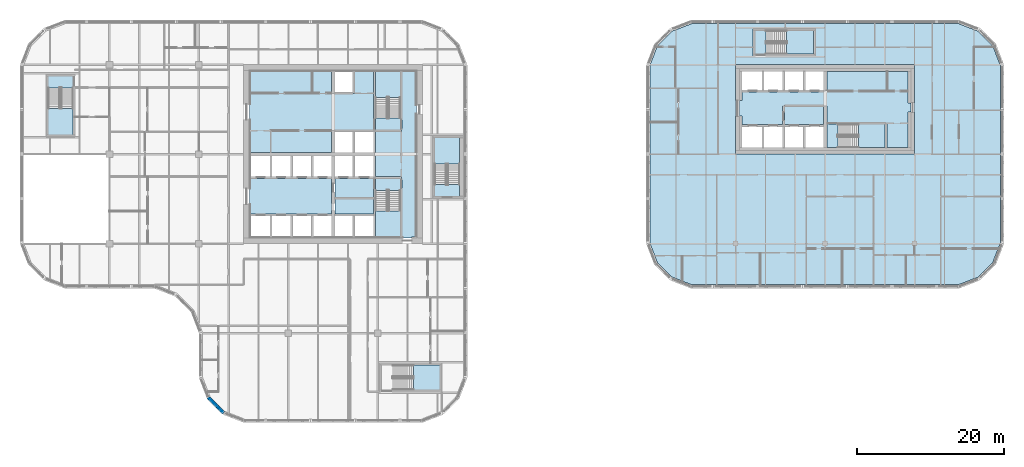
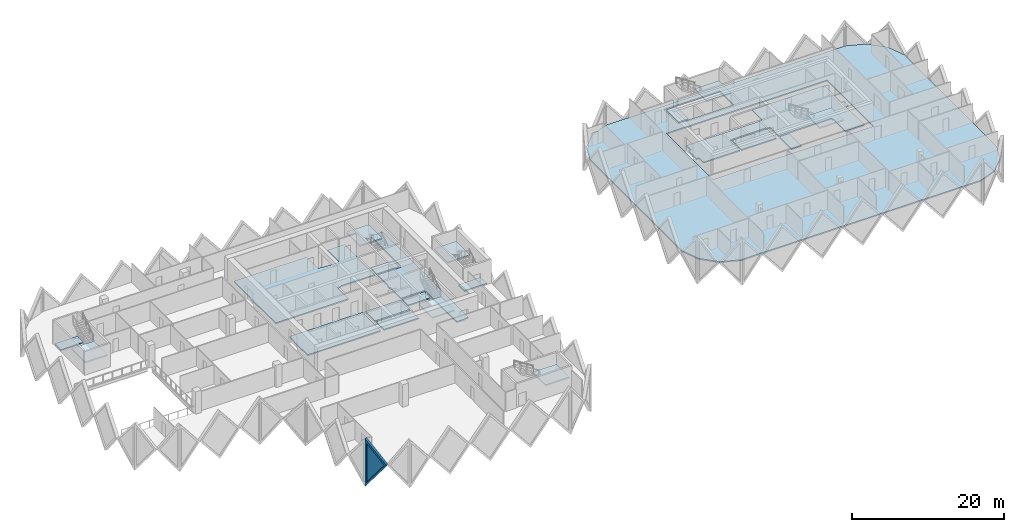
# One storey, part 3 of 19: 21 slabs, 1 plate, 1 wall, 1 opening, 7 elements without a shape of their own.
"""IFC4 building model written with IfcOpenShell, lengths in metres."""

from ifc_helpers import new_model, si_unit, direction, frame, origin, place, context, subcontext, project, spatial, polyline, outline, extrude, faceted_brep, source, transform, mapped, material, layer, layer_set, type_object, element, fill, aggregate, save


model = new_model("IFC4")

# Units and contexts
model_context = context("Model", 3, precision=1e-05, world=origin(), true_north=direction((0.0, 1.0)))
body_context = subcontext(model_context, "Body", "Model", "MODEL_VIEW")
ifc_project = project(units=[si_unit("LENGTHUNIT", "METRE"), si_unit("AREAUNIT", "SQUARE_METRE"), si_unit("VOLUMEUNIT", "CUBIC_METRE"), si_unit("PLANEANGLEUNIT", "RADIAN"), si_unit("MASSUNIT", "GRAM", prefix="KILO")], contexts=[model_context])

# Site, building, storey
site_placement = place(None, origin())
site = spatial("IfcSite", under=ifc_project, at=site_placement, CompositionType="ELEMENT")
building_placement = place(site_placement, origin())
building = spatial("IfcBuilding", under=site, at=building_placement, Name="Tessera Gate Towers", CompositionType="ELEMENT")
storey_placement = place(building_placement, frame((0.0, 0.0, 76.199951171875)))
storey = spatial("IfcBuildingStorey", under=building, at=storey_placement, Name="L18", CompositionType="ELEMENT", Elevation=76.199951171875)

# Slabs
ifc_material_1 = material(Name="Concrete C35/45", Category="concrete")
ifc_layer_1 = layer(ifc_material_1, 0.199951171875)
ifc_layer_set_1 = layer_set([ifc_layer_1], Name="COMPOSITE FLOOR 200")
slab_type_1 = type_object("IfcSlabType", Name="COMPOSITE FLOOR 200", PredefinedType="FLOOR", material=ifc_layer_set_1)
slab_1_placement = place(storey_placement, frame((0.0, 0.0, -0.199951171875)))
element("IfcSlab", 1, at=slab_1_placement, inside=storey, type_object=slab_type_1, Name="T2-L18", PredefinedType="FLOOR", context=body_context, shape_type="SweptSolid", body=[
    extrude(outline(polyline([(85.89990234375, 24.4931640625), (86.926025390625, 21.8330078125), (88.93310546875, 19.826171875), (91.593017578125, 18.800048828125), (128.0068359375, 18.800048828125), (130.6669921875, 19.826171875), (132.673828125, 21.8330078125), (133.699951171875, 24.4931640625), (133.699951171875, 48.706787109375), (132.673828125, 51.366943359375), (130.6669921875, 53.373779296875), (128.0068359375, 54.39990234375), (91.593017578125, 54.39990234375), (88.93310546875, 53.373779296875), (86.926025390625, 51.366943359375), (85.89990234375, 48.706787109375), (85.89990234375, 24.4931640625)]), holes=[polyline([(97.60009765625, 36.60009765625), (97.60009765625, 48.800048828125), (122.0, 48.800048828125), (122.0, 36.60009765625), (97.60009765625, 36.60009765625)]), polyline([(100.0, 50.0), (100.0, 53.699951171875), (108.5, 53.699951171875), (108.5, 50.0), (100.0, 50.0)])]), origin(), (0.0, 0.0, 1.0), 0.199951171875),
])
ifc_material_2 = material(Name="Concrete C35/45", Category="concrete")
ifc_layer_2 = layer(ifc_material_2, 0.199951171875)
ifc_layer_set_2 = layer_set([ifc_layer_2], Name="CORE FLOOR SLAB 200")
slab_type_2 = type_object("IfcSlabType", Name="CORE FLOOR SLAB 200", PredefinedType="FLOOR", material=ifc_layer_set_2)
slab_2_placement = place(storey_placement, frame((0.0, 0.0, -0.199951171875)))
element("IfcSlab", 2, at=slab_2_placement, inside=storey, type_object=slab_type_2, Name="L18 core floor slab", PredefinedType="FLOOR", context=body_context, shape_type="SweptSolid", body=[
    extrude(outline(polyline([(31.39990234375, 47.89990234375), (31.39990234375, 43.39990234375), (31.300048828125, 43.39990234375), (31.300048828125, 41.300048828125), (31.39990234375, 41.300048828125), (31.39990234375, 36.85009765625), (42.449951171875, 36.85009765625), (42.449951171875, 39.800048828125), (42.949951171875, 39.800048828125), (42.949951171875, 39.925048828125), (48.22509765625, 39.925048828125), (48.22509765625, 47.89990234375), (45.64990234375, 47.89990234375), (45.64990234375, 44.89990234375), (45.39990234375, 44.89990234375), (45.39990234375, 44.77490234375), (42.949951171875, 44.77490234375), (42.949951171875, 44.89990234375), (42.449951171875, 44.89990234375), (42.449951171875, 47.89990234375), (31.39990234375, 47.89990234375)])), origin(), (0.0, 0.0, 1.0), 0.199951171875),
])
slab_3_placement = place(storey_placement, frame((0.0, 0.0, -0.199951171875)))
element("IfcSlab", 3, at=slab_3_placement, inside=storey, type_object=slab_type_2, Name="L18 core floor slab", PredefinedType="FLOOR", context=body_context, shape_type="SweptSolid", body=[
    extrude(outline(polyline([(52.199951171875, 25.199951171875), (53.39990234375, 25.199951171875), (53.39990234375, 25.300048828125), (54.0, 25.300048828125), (54.0, 36.320068359375), (54.10009765625, 36.320068359375), (54.10009765625, 36.8798828125), (54.0, 36.8798828125), (54.0, 42.10009765625), (54.10009765625, 42.10009765625), (54.10009765625, 43.300048828125), (54.0, 43.300048828125), (54.0, 47.89990234375), (52.125, 47.89990234375), (52.125, 39.925048828125), (52.0, 39.925048828125), (52.0, 39.675048828125), (48.47509765625, 39.675048828125), (48.47509765625, 36.85009765625), (48.35009765625, 36.85009765625), (48.35009765625, 36.35009765625), (48.47509765625, 36.35009765625), (48.47509765625, 33.52490234375), (52.0, 33.52490234375), (52.0, 33.27490234375), (52.125, 33.27490234375), (52.125, 25.300048828125), (52.199951171875, 25.300048828125), (52.199951171875, 25.199951171875)])), origin(), (0.0, 0.0, 1.0), 0.199951171875),
])
slab_4_placement = place(storey_placement, frame((0.0, 0.0, -0.199951171875)))
element("IfcSlab", 4, at=slab_4_placement, inside=storey, type_object=slab_type_2, Name="L18 core floor slab", PredefinedType="FLOOR", context=body_context, shape_type="SweptSolid", body=[
    extrude(outline(polyline([(31.39990234375, 29.800048828125), (31.39990234375, 28.425048828125), (42.449951171875, 28.425048828125), (42.449951171875, 33.27490234375), (31.39990234375, 33.27490234375), (31.39990234375, 31.89990234375), (31.300048828125, 31.89990234375), (31.300048828125, 29.800048828125), (31.39990234375, 29.800048828125)])), origin(), (0.0, 0.0, 1.0), 0.199951171875),
])
slab_5_placement = place(storey_placement, frame((0.0, 0.0, -0.199951171875)))
element("IfcSlab", 5, at=slab_5_placement, inside=storey, type_object=slab_type_2, Name="L18 core floor slab", PredefinedType="FLOOR", context=body_context, shape_type="SweptSolid", body=[
    extrude(outline(polyline([(42.949951171875, 33.27490234375), (42.949951171875, 30.72509765625), (48.22509765625, 30.72509765625), (48.22509765625, 33.27490234375), (42.949951171875, 33.27490234375)])), origin(), (0.0, 0.0, 1.0), 0.199951171875),
])
slab_6_placement = place(storey_placement, frame((0.0, 0.0, -0.199951171875)))
element("IfcSlab", 6, at=slab_6_placement, inside=storey, type_object=slab_type_2, Name="L18 core floor slab", PredefinedType="FLOOR", context=body_context, shape_type="SweptSolid", body=[
    extrude(outline(polyline([(42.949951171875, 30.47509765625), (42.949951171875, 28.425048828125), (48.22509765625, 28.425048828125), (48.22509765625, 30.47509765625), (42.949951171875, 30.47509765625)])), origin(), (0.0, 0.0, 1.0), 0.199951171875),
])
slab_7_placement = place(storey_placement, frame((0.0, 0.0, -0.199951171875)))
element("IfcSlab", 7, at=slab_7_placement, inside=storey, type_object=slab_type_2, Name="L18 core floor slab", PredefinedType="FLOOR", context=body_context, shape_type="SweptSolid", body=[
    extrude(outline(polyline([(51.875, 31.675048828125), (51.875, 33.27490234375), (48.47509765625, 33.27490234375), (48.47509765625, 31.675048828125), (51.875, 31.675048828125)])), origin(), (0.0, 0.0, 1.0), 0.199951171875),
])
slab_8_placement = place(storey_placement, frame((0.0, 0.0, -0.199951171875)))
element("IfcSlab", 8, at=slab_8_placement, inside=storey, type_object=slab_type_2, Name="L18 core floor slab", PredefinedType="FLOOR", context=body_context, shape_type="SweptSolid", body=[
    extrude(outline(polyline([(48.47509765625, 41.52490234375), (48.47509765625, 39.925048828125), (51.875, 39.925048828125), (51.875, 41.52490234375), (48.47509765625, 41.52490234375)])), origin(), (0.0, 0.0, 1.0), 0.199951171875),
])
slab_9_placement = place(storey_placement, frame((0.0, 0.0, -0.199951171875)))
element("IfcSlab", 9, at=slab_9_placement, inside=storey, type_object=slab_type_2, Name="L18 ST3 floor landing", PredefinedType="FLOOR", context=body_context, shape_type="SweptSolid", body=[
    extrude(outline(polyline([(3.85009765625, 47.25), (3.85009765625, 45.64990234375), (7.25, 45.64990234375), (7.25, 47.25), (3.85009765625, 47.25)])), origin(), (0.0, 0.0, 1.0), 0.199951171875),
])
slab_10_placement = place(storey_placement, frame((0.0, 0.0, -0.199951171875)))
element("IfcSlab", 10, at=slab_10_placement, inside=storey, type_object=slab_type_2, Name="L18 ST5 floor landing", PredefinedType="FLOOR", context=body_context, shape_type="SweptSolid", body=[
    extrude(outline(polyline([(59.949951171875, 30.85009765625), (59.949951171875, 32.449951171875), (56.550048828125, 32.449951171875), (56.550048828125, 30.85009765625), (59.949951171875, 30.85009765625)])), origin(), (0.0, 0.0, 1.0), 0.199951171875),
])
slab_11_placement = place(storey_placement, frame((0.0, 0.0, -0.199951171875)))
element("IfcSlab", 11, at=slab_11_placement, inside=storey, type_object=slab_type_2, Name="L18 core floor slab", PredefinedType="FLOOR", context=body_context, shape_type="SweptSolid", body=[
    extrude(outline(polyline([(109.550048828125, 45.199951171875), (109.550048828125, 45.074951171875), (98.5, 45.074951171875), (98.5, 43.89990234375), (98.10009765625, 43.89990234375), (98.10009765625, 41.800048828125), (98.5, 41.800048828125), (98.5, 40.625), (104.02490234375, 40.625), (104.02490234375, 43.199951171875), (104.27490234375, 43.199951171875), (104.27490234375, 43.324951171875), (109.550048828125, 43.324951171875), (109.550048828125, 43.199951171875), (110.050048828125, 43.199951171875), (110.050048828125, 40.949951171875), (118.10009765625, 40.949951171875), (118.10009765625, 40.699951171875), (118.22509765625, 40.699951171875), (118.22509765625, 37.5), (121.10009765625, 37.5), (121.10009765625, 42.35009765625), (121.5, 42.35009765625), (121.5, 43.550048828125), (121.10009765625, 43.550048828125), (121.10009765625, 47.89990234375), (110.050048828125, 47.89990234375), (110.050048828125, 45.199951171875), (109.550048828125, 45.199951171875)])), origin(), (0.0, 0.0, 1.0), 0.199951171875),
])
slab_12_placement = place(storey_placement, frame((0.0, 0.0, -0.199951171875)))
element("IfcSlab", 12, at=slab_12_placement, inside=storey, type_object=slab_type_2, Name="L18 core floor slab", PredefinedType="FLOOR", context=body_context, shape_type="SweptSolid", body=[
    extrude(outline(polyline([(109.550048828125, 43.074951171875), (104.27490234375, 43.074951171875), (104.27490234375, 40.625), (109.550048828125, 40.625), (109.550048828125, 43.074951171875)])), origin(), (0.0, 0.0, 1.0), 0.199951171875),
])
slab_13_placement = place(storey_placement, frame((0.0, 0.0, -0.199951171875)))
element("IfcSlab", 13, at=slab_13_placement, inside=storey, type_object=slab_type_2, Name="L18 core floor slab", PredefinedType="FLOOR", context=body_context, shape_type="SweptSolid", body=[
    extrude(outline(polyline([(111.550048828125, 37.5), (111.550048828125, 40.699951171875), (110.050048828125, 40.699951171875), (110.050048828125, 37.5), (111.550048828125, 37.5)])), origin(), (0.0, 0.0, 1.0), 0.199951171875),
])
slab_14_placement = place(storey_placement, frame((0.0, 0.0, -0.199951171875)))
element("IfcSlab", 14, at=slab_14_placement, inside=storey, type_object=slab_type_2, Name="L18 ST7 floor landing", PredefinedType="FLOOR", context=body_context, shape_type="SweptSolid", body=[
    extrude(outline(polyline([(100.25, 50.25), (101.75, 50.25), (101.75, 53.449951171875), (100.25, 53.449951171875), (100.25, 50.25)])), origin(), (0.0, 0.0, 1.0), 0.199951171875),
])

# Stair, slab
ifc_material_3 = material(Name="Concrete C40/50", Category="concrete")
stair_type_1 = type_object("IfcStairType", Name="EXIT STAIR ST1 1600", PredefinedType="HALF_TURN_STAIR", material=ifc_material_3)
stair_1_placement = place(storey_placement, origin())
stair_1 = element("IfcStair", 15, at=stair_1_placement, inside=storey, type_object=stair_type_1, Name="L18 Protected Exit Stair ST1", PredefinedType="HALF_TURN_STAIR")
ifc_material_4 = material(Name="Concrete C40/50", Category="concrete")
ifc_layer_3 = layer(ifc_material_4, 0.199951171875)
ifc_layer_set_3 = layer_set([ifc_layer_3], Name="EXIT STAIR LANDING 200")
slab_type_3 = type_object("IfcSlabType", Name="EXIT STAIR LANDING 200", PredefinedType="LANDING", material=ifc_layer_set_3)
slab_15_placement = place(storey_placement, frame((0.0, 0.0, 1.699951171875)))
slab_15 = element("IfcSlab", 16, at=slab_15_placement, type_object=slab_type_3, Name="ST1 landing 1", PredefinedType="LANDING", context=body_context, shape_type="SweptSolid", body=[
    extrude(outline(polyline([(48.47509765625, 28.875), (48.47509765625, 25.300048828125), (51.875, 25.300048828125), (51.875, 28.875), (48.47509765625, 28.875)])), origin(), (0.0, 0.0, 1.0), 0.2001953125),
])
aggregate(stair_1, [slab_15])

ifc_material_5 = material(Name="Concrete C40/50", Category="concrete")
stair_type_2 = type_object("IfcStairType", Name="EXIT STAIR ST2 1600", PredefinedType="HALF_TURN_STAIR", material=ifc_material_5)
stair_2_placement = place(storey_placement, origin())
stair_2 = element("IfcStair", 17, at=stair_2_placement, inside=storey, type_object=stair_type_2, Name="L18 Protected Exit Stair ST2", PredefinedType="HALF_TURN_STAIR")
slab_16_placement = place(storey_placement, frame((0.0, 0.0, 1.699951171875)))
slab_16 = element("IfcSlab", 18, at=slab_16_placement, type_object=slab_type_3, Name="ST2 landing 1", PredefinedType="LANDING", context=body_context, shape_type="SweptSolid", body=[
    extrude(outline(polyline([(51.875, 44.324951171875), (51.875, 47.89990234375), (48.47509765625, 47.89990234375), (48.47509765625, 44.324951171875), (51.875, 44.324951171875)])), origin(), (0.0, 0.0, 1.0), 0.2001953125),
])
aggregate(stair_2, [slab_16])

ifc_material_6 = material(Name="Concrete C40/50", Category="concrete")
stair_type_3 = type_object("IfcStairType", Name="EXIT STAIR ST3 1600", PredefinedType="HALF_TURN_STAIR", material=ifc_material_6)
stair_3_placement = place(storey_placement, origin())
stair_3 = element("IfcStair", 19, at=stair_3_placement, inside=storey, type_object=stair_type_3, Name="L18 West Exit Stair ST3", PredefinedType="HALF_TURN_STAIR")
slab_17_placement = place(storey_placement, frame((0.0, 0.0, 1.699951171875)))
slab_17 = element("IfcSlab", 20, at=slab_17_placement, type_object=slab_type_3, Name="ST3 landing 1", PredefinedType="LANDING", context=body_context, shape_type="SweptSolid", body=[
    extrude(outline(polyline([(3.85009765625, 42.85009765625), (3.85009765625, 39.25), (7.25, 39.25), (7.25, 42.85009765625), (3.85009765625, 42.85009765625)])), origin(), (0.0, 0.0, 1.0), 0.2001953125),
])
aggregate(stair_3, [slab_17])

ifc_material_7 = material(Name="Concrete C40/50", Category="concrete")
stair_type_4 = type_object("IfcStairType", Name="EXIT STAIR ST4 1600", PredefinedType="HALF_TURN_STAIR", material=ifc_material_7)
stair_4_placement = place(storey_placement, origin())
stair_4 = element("IfcStair", 21, at=stair_4_placement, inside=storey, type_object=stair_type_4, Name="L18 South Exit Stair ST4", PredefinedType="HALF_TURN_STAIR")
slab_18_placement = place(storey_placement, frame((0.0, 0.0, 1.699951171875)))
slab_18 = element("IfcSlab", 22, at=slab_18_placement, type_object=slab_type_3, Name="ST4 landing 1", PredefinedType="LANDING", context=body_context, shape_type="SweptSolid", body=[
    extrude(outline(polyline([(53.64990234375, 4.449951171875), (57.25, 4.449951171875), (57.25, 7.85009765625), (53.64990234375, 7.85009765625), (53.64990234375, 4.449951171875)])), origin(), (0.0, 0.0, 1.0), 0.2001953125),
])
aggregate(stair_4, [slab_18])

ifc_material_8 = material(Name="Concrete C40/50", Category="concrete")
stair_type_5 = type_object("IfcStairType", Name="EXIT STAIR ST5 1600", PredefinedType="HALF_TURN_STAIR", material=ifc_material_8)
stair_5_placement = place(storey_placement, origin())
stair_5 = element("IfcStair", 23, at=stair_5_placement, inside=storey, type_object=stair_type_5, Name="L18 East Exit Stair ST5", PredefinedType="HALF_TURN_STAIR")
slab_19_placement = place(storey_placement, frame((0.0, 0.0, 1.699951171875)))
slab_19 = element("IfcSlab", 24, at=slab_19_placement, type_object=slab_type_3, Name="ST5 landing 1", PredefinedType="LANDING", context=body_context, shape_type="SweptSolid", body=[
    extrude(outline(polyline([(59.949951171875, 35.25), (59.949951171875, 38.85009765625), (56.550048828125, 38.85009765625), (56.550048828125, 35.25), (59.949951171875, 35.25)])), origin(), (0.0, 0.0, 1.0), 0.2001953125),
])
aggregate(stair_5, [slab_19])

ifc_material_9 = material(Name="Concrete C40/50", Category="concrete")
stair_type_6 = type_object("IfcStairType", Name="EXIT STAIR ST6 1500", PredefinedType="HALF_TURN_STAIR", material=ifc_material_9)
stair_6_placement = place(storey_placement, origin())
stair_6 = element("IfcStair", 25, at=stair_6_placement, inside=storey, type_object=stair_type_6, Name="L18 Protected Exit Stair ST6", PredefinedType="HALF_TURN_STAIR")
slab_20_placement = place(storey_placement, frame((0.0, 0.0, 1.699951171875)))
slab_20 = element("IfcSlab", 26, at=slab_20_placement, type_object=slab_type_3, Name="ST6 landing 1", PredefinedType="LANDING", context=body_context, shape_type="SweptSolid", body=[
    extrude(outline(polyline([(114.35009765625, 37.5), (117.97509765625, 37.5), (117.97509765625, 40.699951171875), (114.35009765625, 40.699951171875), (114.35009765625, 37.5)])), origin(), (0.0, 0.0, 1.0), 0.2001953125),
])
aggregate(stair_6, [slab_20])

ifc_material_10 = material(Name="Concrete C40/50", Category="concrete")
stair_type_7 = type_object("IfcStairType", Name="EXIT STAIR ST7 1500", PredefinedType="HALF_TURN_STAIR", material=ifc_material_10)
stair_7_placement = place(storey_placement, origin())
stair_7 = element("IfcStair", 27, at=stair_7_placement, inside=storey, type_object=stair_type_7, Name="L18 North Exit Stair ST7", PredefinedType="HALF_TURN_STAIR")
slab_21_placement = place(storey_placement, frame((0.0, 0.0, 1.699951171875)))
slab_21 = element("IfcSlab", 28, at=slab_21_placement, type_object=slab_type_3, Name="ST7 landing 1", PredefinedType="LANDING", context=body_context, shape_type="SweptSolid", body=[
    extrude(outline(polyline([(104.550048828125, 50.25), (108.25, 50.25), (108.25, 53.449951171875), (104.550048828125, 53.449951171875), (104.550048828125, 50.25)])), origin(), (0.0, 0.0, 1.0), 0.2001953125),
])
aggregate(stair_7, [slab_21])

# Wall, opening, plate
ifc_material_11 = material(Name="Precast concrete C60/75 white", Category="concrete")
ifc_layer_4 = layer(ifc_material_11, 0.5)
ifc_layer_set_4 = layer_set([ifc_layer_4], Name="TS3 corner tessera")
wall_type = type_object("IfcWallType", Name="TS3 corner tessera", PredefinedType="SOLIDWALL", material=ifc_layer_set_4)
shared_shape_1 = source(origin(), body_context, "Body", "Brep", [
    faceted_brep([(0.052978515625, -0.25, 0.0), (2.9970703125, -0.25, 3.800048828125), (0.052978515625, -0.25, 7.60009765625), (0.0, -0.25, 7.531982421875), (0.0, -0.25, 0.068115234375), (0.10595703125, 0.25, 7.53173828125), (2.944091796875, 0.25, 3.8681640625), (2.944091796875, 0.25, 3.73193359375), (0.10595703125, 0.25, 0.068359375), (2.9970703125, 0.000244140625, 3.800048828125), (0.052978515625, 0.0, 0.0), (0.052978515625, 0.0, 7.60009765625)], [[[0, 1, 2, 3, 4]], [[5, 6, 7, 8]], [[8, 7, 9, 1, 0, 10]], [[6, 5, 11, 2, 1, 9]], [[3, 2, 11]], [[10, 0, 4]], [[8, 10, 4, 3, 11, 5]], [[9, 7, 6]]]),
])
wall_placement = place(storey_placement, frame((25.674560546875, 3.43115234375, -3.800048828125), z_axis=(0.0, 0.0, 1.0), x_axis=(0.707106781187, -0.707106781187, 0.0)))
wall = element("IfcWall", 29, at=wall_placement, inside=storey, type_object=wall_type, Name="Precast corner tessera T1 TS3-0408", PredefinedType="SOLIDWALL", context=body_context, shape_type="MappedRepresentation", body=[
    mapped(shared_shape_1, transform((0.0, 0.0, 0.0), scale=1.0)),
])
shared_shape_2 = source(origin(), body_context, "Body", "SweptSolid", [
    extrude(outline(polyline([(0.2529296875, 0.66650390625), (2.680908203125, 3.800048828125), (0.2529296875, 6.933837890625), (0.2529296875, 0.66650390625)])), frame((0.0, 0.260009765625, 0.0), z_axis=(0.0, -1.0, 0.0), x_axis=(1.0, 0.0, 0.0)), (0.0, 0.0, 1.0), 0.52001953125),
])
opening_placement = place(wall_placement, origin())
opening = element("IfcOpeningElement", 30, at=opening_placement, cuts=wall, Name="Opening T1-PL2-0563", PredefinedType="OPENING", context=body_context, shape_type="MappedRepresentation", body=[
    mapped(shared_shape_2, transform((0.0, 0.0, 0.0), scale=1.0)),
])
ifc_material_12 = material(Name="Low-e laminated glass", Category="glass")
ifc_layer_5 = layer(ifc_material_12, 0.06005859375)
ifc_layer_set_5 = layer_set([ifc_layer_5], Name="PL2 rhombic pane")
plate_type = type_object("IfcPlateType", Name="PL2 rhombic pane", PredefinedType="SHEET", material=ifc_layer_set_5)
shared_shape_3 = source(origin(), body_context, "Body", "SweptSolid", [
    extrude(outline(polyline([(0.2529296875, 0.66650390625), (2.680908203125, 3.800048828125), (0.2529296875, 6.933837890625), (0.2529296875, 0.66650390625)])), frame((0.0, 0.030029296875, 0.0), z_axis=(0.0, -1.0, 0.0), x_axis=(1.0, 0.0, 0.0)), (0.0, 0.0, 1.0), 0.06005859375),
])
plate_placement = place(opening_placement, origin())
plate = element("IfcPlate", 31, at=plate_placement, inside=storey, type_object=plate_type, Name="Glass pane T1 PL2-0563", PredefinedType="SHEET", context=body_context, shape_type="MappedRepresentation", body=[
    mapped(shared_shape_3, transform((0.0, 0.0, 0.0), scale=1.0)),
])
fill(opening, plate)

save(model, "model.ifc")
